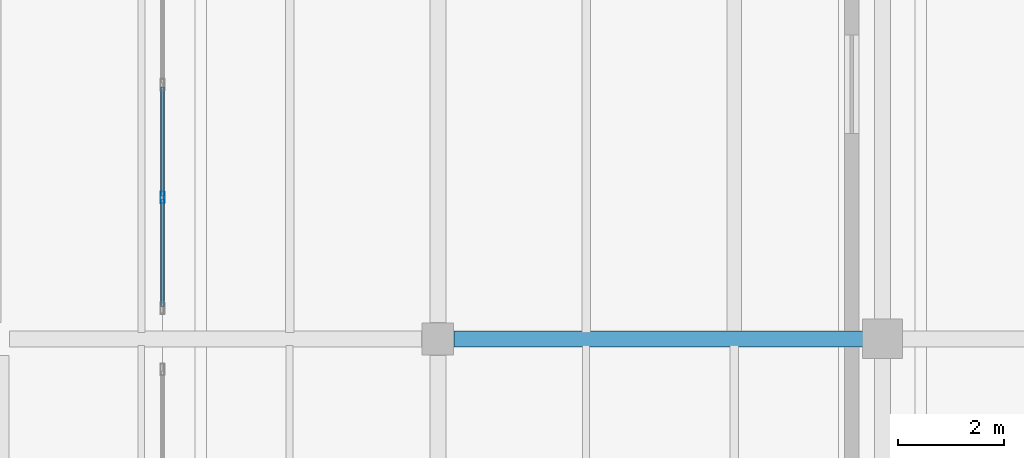
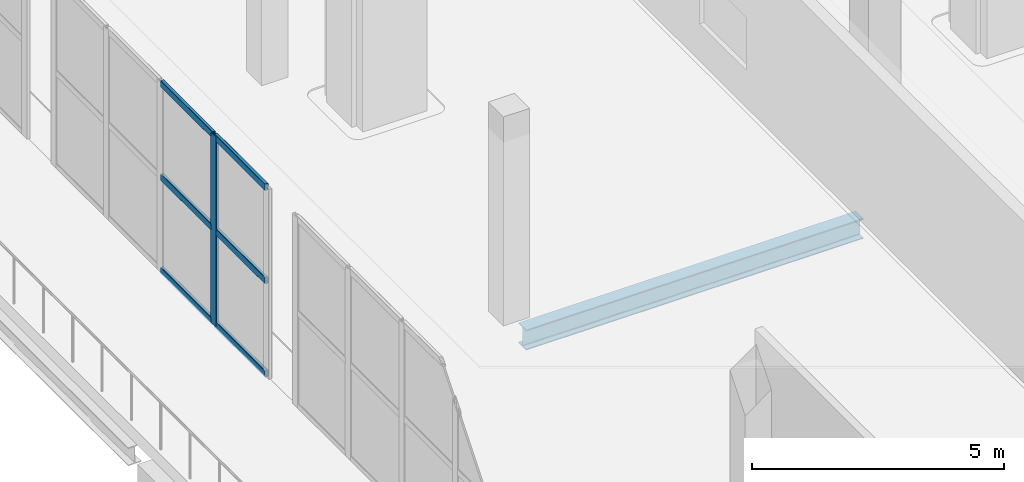
# One storey, part 25 of 77: 7 members, 1 beam, 1 element without a shape of its own.
"""IFC4 building model written with IfcOpenShell, lengths in metres."""

from ifc_helpers import new_model, si_unit, direction, frame, origin, origin_2d, place, context, subcontext, project, spatial, hollow_rectangle, i_section, extrude, material, layer, layer_set, material_profile, profile_set, type_object, element, aggregate, save


model = new_model("IFC4")

# Units and contexts
model_context = context("Model", 3, precision=1e-05, world=origin(), true_north=direction((0.0, 1.0)))
body_context = subcontext(model_context, "Body", "Model", "MODEL_VIEW")
ifc_project = project(units=[si_unit("LENGTHUNIT", "METRE"), si_unit("AREAUNIT", "SQUARE_METRE"), si_unit("VOLUMEUNIT", "CUBIC_METRE"), si_unit("PLANEANGLEUNIT", "RADIAN"), si_unit("MASSUNIT", "GRAM", prefix="KILO")], contexts=[model_context])

# Site, building, storey
site_placement = place(None, origin())
site = spatial("IfcSite", under=ifc_project, at=site_placement, CompositionType="ELEMENT")
building_placement = place(site_placement, origin())
building = spatial("IfcBuilding", under=site, at=building_placement, Name="Zulmaris Art Gallery", CompositionType="ELEMENT")
storey_placement = place(building_placement, frame((0.0, 0.0, 15.60009765625)))
storey = spatial("IfcBuildingStorey", under=building, at=storey_placement, Name="L03", CompositionType="ELEMENT", Elevation=15.60009765625)

# Beam
ifc_material_1 = material(Name="Steel S355J2", Category="steel")
ifc_material_profile_1 = material_profile(ifc_material_1, i_section(OverallWidth=0.300048828125, OverallDepth=0.489990234375, WebThickness=0.011962890625, FlangeThickness=0.02294921875, FilletRadius=0.027099609375, at=origin_2d()), Name="HEA 500")
ifc_profile_set_1 = profile_set([ifc_material_profile_1], Name="Steel S355J2")
beam_type = type_object("IfcBeamType", Name="BEAM-BM11", PredefinedType="BEAM", material=ifc_profile_set_1)
beam_placement = place(storey_placement, frame((133.510009765625, 40.800048828125, -0.614990234375), z_axis=(1.0, 0.0, 0.0), x_axis=(0.0, 1.0, 0.0)))
element("IfcBeam", 1, at=beam_placement, inside=storey, type_object=beam_type, Name="L03 X-girder (133.2..141.6, y=40.8)", PredefinedType="BEAM", context=body_context, shape_type="SweptSolid", body=[
    extrude(i_section(OverallWidth=0.300048828125, OverallDepth=0.489990234375, WebThickness=0.011962890625, FlangeThickness=0.02294921875, FilletRadius=0.027099609375, at=origin_2d()), origin(), (0.0, 0.0, 1.0), 7.72998046875),
])

# Curtain wall, members
ifc_material_2 = material(Name="Unitised Low-E Gallery Curtain Wall", Category="aluminium")
ifc_layer = layer(ifc_material_2, 0.179931640625)
ifc_layer_set = layer_set([ifc_layer], Name="Unitised Low-E Gallery Curtain Wall")
curtain_wall_type = type_object("IfcCurtainWallType", Name="CW-CW01", PredefinedType="NOTDEFINED", material=ifc_layer_set)
curtain_wall_placement = place(storey_placement, origin())
curtain_wall = element("IfcCurtainWall", 2, at=curtain_wall_placement, inside=storey, type_object=curtain_wall_type, Name="L03 curtain wall 121", PredefinedType="NOTDEFINED")
ifc_material_3 = material(Name="Anodised Bronze Aluminium", Category="aluminium")
ifc_material_profile_2 = material_profile(ifc_material_3, hollow_rectangle(XDim=0.074951171875, YDim=0.219970703125, WallThickness=0.0048828125, InnerFilletRadius=0.007568359375, OuterFilletRadius=0.012451171875, at=origin_2d()), Name="ALU 75x220x5")
ifc_profile_set_2 = profile_set([ifc_material_profile_2], Name="Anodised Bronze Aluminium")
member_type_1 = type_object("IfcMemberType", Name="CWMUL-02", PredefinedType="MULLION", material=ifc_profile_set_2)
member_1_placement = place(storey_placement, frame((128.0, 43.469970703125, 0.0), z_axis=(0.0, 0.0, 1.0), x_axis=(-1.0, 0.0, 0.0)))
member_1 = element("IfcMember", 3, at=member_1_placement, type_object=member_type_1, Name="CW01 mullion 2", PredefinedType="MULLION", context=body_context, shape_type="SweptSolid", body=[
    extrude(hollow_rectangle(XDim=0.074951171875, YDim=0.219970703125, WallThickness=0.0048828125, InnerFilletRadius=0.007568359375, OuterFilletRadius=0.012451171875, at=origin_2d()), origin(), (0.0, 0.0, 1.0), 4.599853515625),
])
ifc_material_profile_3 = material_profile(ifc_material_3, hollow_rectangle(XDim=0.074951171875, YDim=0.159912109375, WallThickness=0.00390625, InnerFilletRadius=0.006103515625, OuterFilletRadius=0.010009765625, at=origin_2d()), Name="ALU 75x160x4")
ifc_profile_set_3 = profile_set([ifc_material_profile_3], Name="Anodised Bronze Aluminium")
member_type_2 = type_object("IfcMemberType", Name="CWTRN-02", PredefinedType="USERDEFINED", material=ifc_profile_set_3)
member_2_placement = place(storey_placement, frame((128.0, 41.4150390625, 0.037353515625), z_axis=(0.0, 1.0, 0.0), x_axis=(-1.0, 0.0, 0.0)))
member_2 = element("IfcMember", 4, at=member_2_placement, type_object=member_type_2, Name="CW01 transom 1.1", ObjectType="TRANSOM", PredefinedType="USERDEFINED", context=body_context, shape_type="SweptSolid", body=[
    extrude(hollow_rectangle(XDim=0.074951171875, YDim=0.159912109375, WallThickness=0.00390625, InnerFilletRadius=0.006103515625, OuterFilletRadius=0.010009765625, at=origin_2d()), origin(), (0.0, 0.0, 1.0), 2.017578125),
])
member_3_placement = place(storey_placement, frame((128.0, 41.4150390625, 2.2998046875), z_axis=(0.0, 1.0, 0.0), x_axis=(-1.0, 0.0, 0.0)))
member_3 = element("IfcMember", 5, at=member_3_placement, type_object=member_type_2, Name="CW01 transom 1.2", ObjectType="TRANSOM", PredefinedType="USERDEFINED", context=body_context, shape_type="SweptSolid", body=[
    extrude(hollow_rectangle(XDim=0.074951171875, YDim=0.159912109375, WallThickness=0.00390625, InnerFilletRadius=0.006103515625, OuterFilletRadius=0.010009765625, at=origin_2d()), origin(), (0.0, 0.0, 1.0), 2.017578125),
])
member_4_placement = place(storey_placement, frame((128.0, 41.4150390625, 4.5625), z_axis=(0.0, 1.0, 0.0), x_axis=(-1.0, 0.0, 0.0)))
member_4 = element("IfcMember", 6, at=member_4_placement, type_object=member_type_2, Name="CW01 transom 1.3", ObjectType="TRANSOM", PredefinedType="USERDEFINED", context=body_context, shape_type="SweptSolid", body=[
    extrude(hollow_rectangle(XDim=0.074951171875, YDim=0.159912109375, WallThickness=0.00390625, InnerFilletRadius=0.006103515625, OuterFilletRadius=0.010009765625, at=origin_2d()), origin(), (0.0, 0.0, 1.0), 2.017578125),
])
member_5_placement = place(storey_placement, frame((128.0, 43.507568359375, 0.037353515625), z_axis=(0.0, 1.0, 0.0), x_axis=(-1.0, 0.0, 0.0)))
member_5 = element("IfcMember", 7, at=member_5_placement, type_object=member_type_2, Name="CW01 transom 2.1", ObjectType="TRANSOM", PredefinedType="USERDEFINED", context=body_context, shape_type="SweptSolid", body=[
    extrude(hollow_rectangle(XDim=0.074951171875, YDim=0.159912109375, WallThickness=0.00390625, InnerFilletRadius=0.006103515625, OuterFilletRadius=0.010009765625, at=origin_2d()), origin(), (0.0, 0.0, 1.0), 2.054931640625),
])
member_6_placement = place(storey_placement, frame((128.0, 43.507568359375, 2.2998046875), z_axis=(0.0, 1.0, 0.0), x_axis=(-1.0, 0.0, 0.0)))
member_6 = element("IfcMember", 8, at=member_6_placement, type_object=member_type_2, Name="CW01 transom 2.2", ObjectType="TRANSOM", PredefinedType="USERDEFINED", context=body_context, shape_type="SweptSolid", body=[
    extrude(hollow_rectangle(XDim=0.074951171875, YDim=0.159912109375, WallThickness=0.00390625, InnerFilletRadius=0.006103515625, OuterFilletRadius=0.010009765625, at=origin_2d()), origin(), (0.0, 0.0, 1.0), 2.054931640625),
])
member_7_placement = place(storey_placement, frame((128.0, 43.507568359375, 4.5625), z_axis=(0.0, 1.0, 0.0), x_axis=(-1.0, 0.0, 0.0)))
member_7 = element("IfcMember", 9, at=member_7_placement, type_object=member_type_2, Name="CW01 transom 2.3", ObjectType="TRANSOM", PredefinedType="USERDEFINED", context=body_context, shape_type="SweptSolid", body=[
    extrude(hollow_rectangle(XDim=0.074951171875, YDim=0.159912109375, WallThickness=0.00390625, InnerFilletRadius=0.006103515625, OuterFilletRadius=0.010009765625, at=origin_2d()), origin(), (0.0, 0.0, 1.0), 2.054931640625),
])
aggregate(curtain_wall, [member_1, member_2, member_3, member_4, member_5, member_6, member_7])

save(model, "model.ifc")
